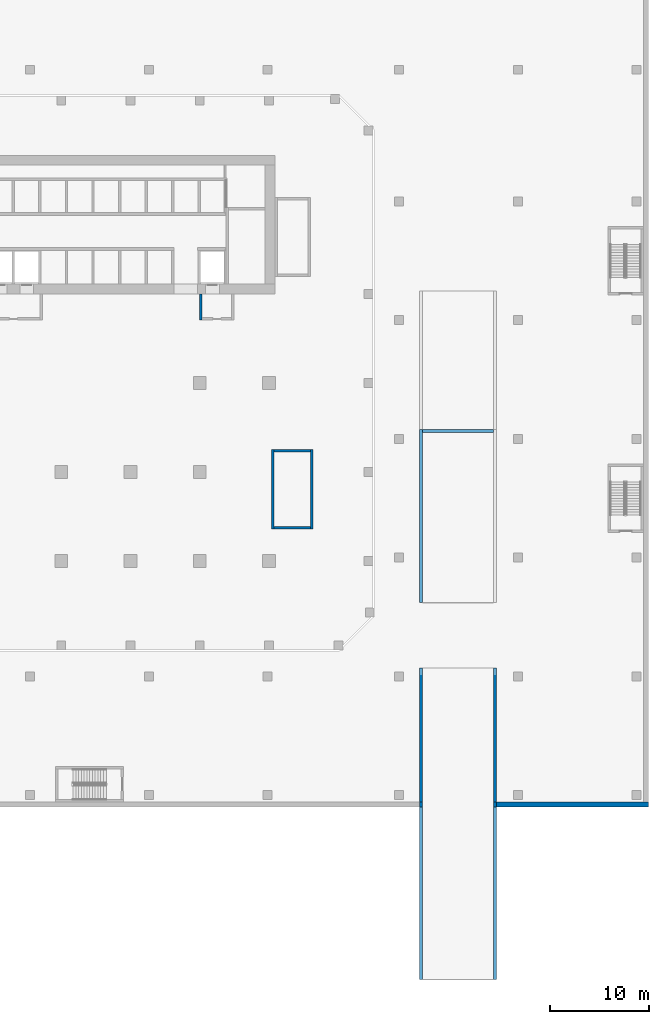
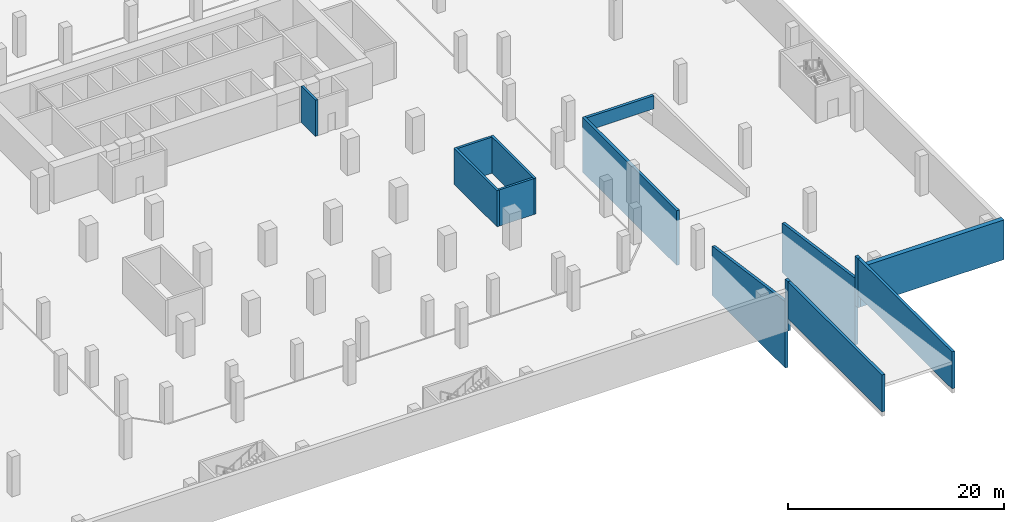
# One storey, part 5 of 11: 14 walls.
"""IFC4 building model written with IfcOpenShell, lengths in metres."""

from ifc_helpers import new_model, si_unit, direction, frame, frame_2d, origin, place, context, subcontext, project, spatial, polyline, rectangle, outline, extrude, source, transform, mapped, material, layer, layer_set, type_object, element, save


model = new_model("IFC4")

# Units and contexts
model_context = context("Model", 3, precision=1e-05, world=origin(), true_north=direction((0.0, 1.0)))
body_context = subcontext(model_context, "Body", "Model", "MODEL_VIEW")
ifc_project = project(units=[si_unit("LENGTHUNIT", "METRE"), si_unit("AREAUNIT", "SQUARE_METRE"), si_unit("VOLUMEUNIT", "CUBIC_METRE"), si_unit("PLANEANGLEUNIT", "RADIAN"), si_unit("MASSUNIT", "GRAM", prefix="KILO")], contexts=[model_context])

# Site, building, storey
site_placement = place(None, origin())
site = spatial("IfcSite", under=ifc_project, at=site_placement, CompositionType="ELEMENT")
building_placement = place(site_placement, origin())
building = spatial("IfcBuilding", under=site, at=building_placement, Name="Kilnfold Tower and Market Hall", CompositionType="ELEMENT")
storey_placement = place(building_placement, frame((0.0, 0.0, -4.5)))
storey = spatial("IfcBuildingStorey", under=building, at=storey_placement, Name="B1", CompositionType="ELEMENT", Elevation=-4.5)

# Walls
ifc_material_1 = material(Name="Concrete C40/50", Category="concrete")
ifc_layer_1 = layer(ifc_material_1, 0.300048828125)
ifc_layer_set_1 = layer_set([ifc_layer_1], Name="Concrete C40/50")
wall_type_1 = type_object("IfcWallType", Name="CAR PARK RAMP SIDE WALL 300", PredefinedType="SOLIDWALL", material=ifc_layer_set_1)
for number, where, z_axis, x_axis, name in (
    (1, (32.85009765625, -61.300048828125, 1.406982421875), (0.0, 0.0, 1.0), (0.0, 1.0, 0.0), "Ramp side wall 1"),
    (2, (40.35009765625, -61.300048828125, 1.406982421875), (0.0, 0.0, 1.0), (0.0, 1.0, 0.0), "Ramp side wall 2"),
):
    element("IfcWall", number, at=place(storey_placement, frame(where, z_axis=z_axis, x_axis=x_axis)), inside=storey, type_object=wall_type_1, Name=name, PredefinedType="SOLIDWALL", context=body_context, shape_type="SweptSolid", body=[
        extrude(outline(polyline([(0.0, 0.0), (17.449951171875, 0.0), (17.449951171875, 4.193115234375), (0.0, 4.193115234375), (0.0, 0.0)])), frame((0.0, 0.14990234375, 0.0), z_axis=(0.0, -1.0, 0.0), x_axis=(1.0, 0.0, 0.0)), (0.0, 0.0, 1.0), 0.300048828125),
    ])
for number, where, z_axis, x_axis, name in (
    (3, (32.85009765625, -43.85009765625, 0.0), (0.0, 0.0, 1.0), (0.0, 1.0, 0.0), "Ramp side wall 3"),
    (4, (40.35009765625, -43.85009765625, 0.0), (0.0, 0.0, 1.0), (0.0, 1.0, 0.0), "Ramp side wall 4"),
):
    element("IfcWall", number, at=place(storey_placement, frame(where, z_axis=z_axis, x_axis=x_axis)), inside=storey, type_object=wall_type_1, Name=name, PredefinedType="SOLIDWALL", context=body_context, shape_type="SweptSolid", body=[
        extrude(outline(polyline([(0.0, 0.0), (0.5, 0.0), (0.5, 5.60009765625), (0.0, 5.60009765625), (0.0, 0.0)])), frame((0.0, 0.14990234375, 0.0), z_axis=(0.0, -1.0, 0.0), x_axis=(1.0, 0.0, 0.0)), (0.0, 0.0, 1.0), 0.300048828125),
    ])
for number, where, z_axis, x_axis, name in (
    (5, (32.85009765625, -43.35009765625, -4.5), (0.0, 0.0, 1.0), (0.0, 1.0, 0.0), "Ramp side wall 5"),
    (6, (40.35009765625, -43.35009765625, -4.5), (0.0, 0.0, 1.0), (0.0, 1.0, 0.0), "Ramp side wall 6"),
):
    element("IfcWall", number, at=place(storey_placement, frame(where, z_axis=z_axis, x_axis=x_axis)), inside=storey, type_object=wall_type_1, Name=name, PredefinedType="SOLIDWALL", context=body_context, shape_type="SweptSolid", body=[
        extrude(outline(polyline([(0.0, 0.0), (13.550048828125, 0.0), (13.550048828125, 5.60009765625), (0.0, 7.53564453125), (0.0, 0.0)])), frame((0.0, 0.14990234375, 0.0), z_axis=(0.0, -1.0, 0.0), x_axis=(1.0, 0.0, 0.0)), (0.0, 0.0, 1.0), 0.300048828125),
    ])
wall_1_placement = place(storey_placement, frame((32.85009765625, -23.199951171875, -5.10009765625), z_axis=(0.0, 0.0, 1.0), x_axis=(0.0, 1.0, 0.0)))
element("IfcWall", 7, at=wall_1_placement, inside=storey, type_object=wall_type_1, Name="Ramp side wall 7", PredefinedType="SOLIDWALL", context=body_context, shape_type="SweptSolid", body=[
    extrude(outline(polyline([(0.0, 0.0), (17.5, 0.0), (17.5, 6.2001953125), (0.0, 6.2001953125), (0.0, 0.0)])), frame((0.0, 0.14990234375, 0.0), z_axis=(0.0, -1.0, 0.0), x_axis=(1.0, 0.0, 0.0)), (0.0, 0.0, 1.0), 0.300048828125),
])
ifc_material_2 = material(Name="Concrete C80", Category="concrete")
ifc_layer_2 = layer(ifc_material_2, 0.25)
ifc_layer_set_2 = layer_set([ifc_layer_2], Name="Concrete C80")
wall_type_2 = type_object("IfcWallType", Name="CORE WALL 250 C80", PredefinedType="SHEAR", material=ifc_layer_set_2)
shared_shape_1 = source(origin(), body_context, "Body", "SweptSolid", [
    extrude(rectangle(XDim=3.699951171875, YDim=0.25, at=frame_2d((1.85009765625, 0.0))), origin(), (0.0, 0.0, 1.0), 4.090087890625),
])
for number, where, z_axis, x_axis, name in (
    (8, (18.0, -15.625, 0.0), (0.0, 0.0, 1.0), (1.0, 0.0, 0.0), "Stair enclosure ST4"),
    (9, (18.0, -7.875, 0.0), (0.0, 0.0, 1.0), (1.0, 0.0, 0.0), "Stair enclosure ST4"),
):
    element("IfcWall", number, at=place(storey_placement, frame(where, z_axis=z_axis, x_axis=x_axis)), inside=storey, type_object=wall_type_2, Name=name, PredefinedType="SHEAR", context=body_context, shape_type="MappedRepresentation", body=[
        mapped(shared_shape_1, transform((0.0, 0.0, 0.0))),
    ])
shared_shape_2 = source(origin(), body_context, "Body", "SweptSolid", [
    extrude(rectangle(XDim=8.0, YDim=0.25, at=frame_2d((4.0, 0.0))), origin(), (0.0, 0.0, 1.0), 4.090087890625),
])
for number, where, z_axis, x_axis, name in (
    (10, (17.875, -15.75, 0.0), (0.0, 0.0, 1.0), (0.0, 1.0, 0.0), "Stair enclosure ST4"),
    (11, (21.824951171875, -15.75, 0.0), (0.0, 0.0, 1.0), (0.0, 1.0, 0.0), "Stair enclosure ST4"),
):
    element("IfcWall", number, at=place(storey_placement, frame(where, z_axis=z_axis, x_axis=x_axis)), inside=storey, type_object=wall_type_2, Name=name, PredefinedType="SHEAR", context=body_context, shape_type="MappedRepresentation", body=[
        mapped(shared_shape_2, transform((0.0, 0.0, 0.0))),
    ])
ifc_material_3 = material(Name="Concrete C40/50", Category="concrete")
ifc_layer_3 = layer(ifc_material_3, 0.5)
ifc_layer_set_3 = layer_set([ifc_layer_3], Name="Concrete C40/50")
wall_type_3 = type_object("IfcWallType", Name="BASEMENT RETAINING WALL 500", PredefinedType="SOLIDWALL", material=ifc_layer_set_3)
shared_shape_3 = source(origin(), body_context, "Body", "SweptSolid", [
    extrude(rectangle(XDim=15.35009765625, YDim=0.5, at=frame_2d((7.675048828125, 0.0))), origin(), (0.0, 0.0, 1.0), 4.5),
])
wall_2_placement = place(storey_placement, frame((40.5, -43.60009765625, 0.0), z_axis=(0.0, 0.0, 1.0), x_axis=(1.0, 0.0, 0.0)))
element("IfcWall", 12, at=wall_2_placement, inside=storey, type_object=wall_type_3, Name="Retaining wall B1 south", PredefinedType="SOLIDWALL", context=body_context, shape_type="MappedRepresentation", body=[
    mapped(shared_shape_3, transform((0.0, 0.0, 0.0))),
])
ifc_material_4 = material(Name="Gypsum shaft wall system")
ifc_layer_4 = layer(ifc_material_4, 0.25)
ifc_layer_set_4 = layer_set([ifc_layer_4], Name="Gypsum shaft wall system")
wall_type_4 = type_object("IfcWallType", Name="LOBBY WALL 250", PredefinedType="PARTITIONING", material=ifc_layer_set_4)
shared_shape_4 = source(origin(), body_context, "Body", "SweptSolid", [
    extrude(rectangle(XDim=2.64990234375, YDim=0.25, at=frame_2d((1.324951171875, 0.0))), origin(), (0.0, 0.0, 1.0), 4.090087890625),
])
wall_3_placement = place(storey_placement, frame((10.60498046875, 5.35009765625, 0.0), z_axis=(0.0, 0.0, 1.0), x_axis=(0.0, 1.0, 0.0)))
element("IfcWall", 13, at=wall_3_placement, inside=storey, type_object=wall_type_4, Name="Firefighting lobby wall", PredefinedType="PARTITIONING", context=body_context, shape_type="MappedRepresentation", body=[
    mapped(shared_shape_4, transform((0.0, 0.0, 0.0))),
])
shared_shape_5 = source(origin(), body_context, "Body", "SweptSolid", [
    extrude(rectangle(XDim=7.199951171875, YDim=0.300048828125, at=frame_2d((3.60009765625, 0.0))), origin(), (0.0, 0.0, 1.0), 1.5),
])
wall_4_placement = place(storey_placement, frame((33.0, -5.85009765625, -0.39990234375), z_axis=(0.0, 0.0, 1.0), x_axis=(1.0, 0.0, 0.0)))
element("IfcWall", 14, at=wall_4_placement, inside=storey, type_object=wall_type_1, Name="Ramp fascia wall", PredefinedType="SOLIDWALL", context=body_context, shape_type="MappedRepresentation", body=[
    mapped(shared_shape_5, transform((0.0, 0.0, 0.0))),
])

save(model, "model.ifc")
